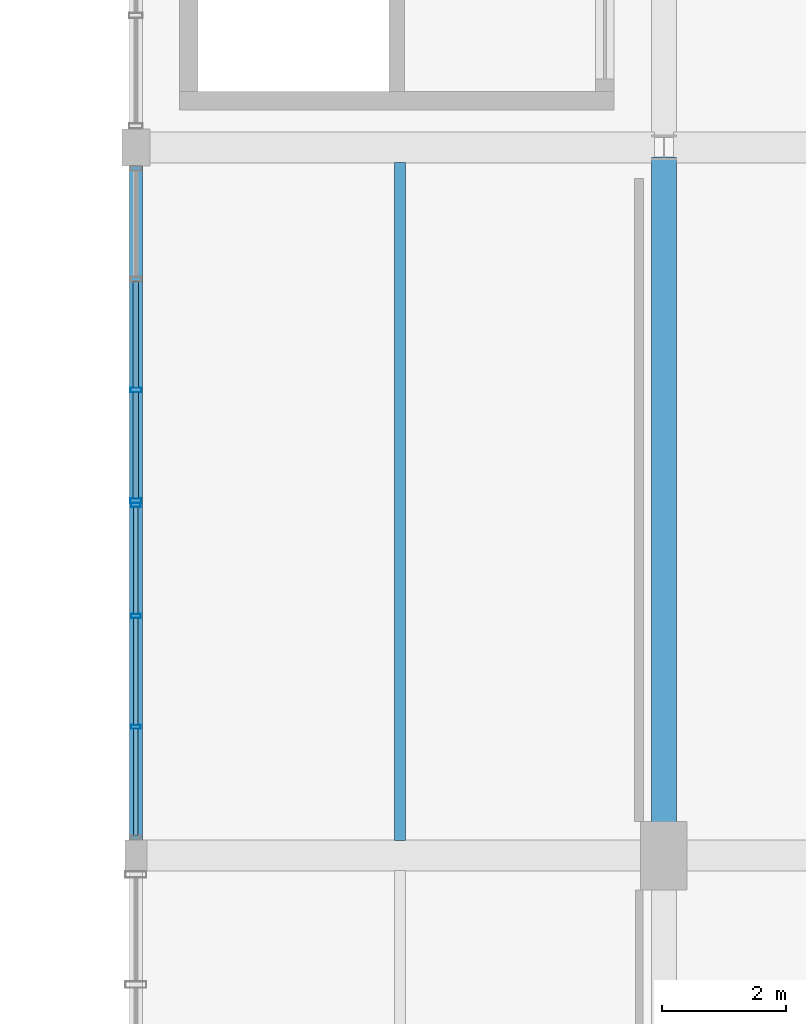
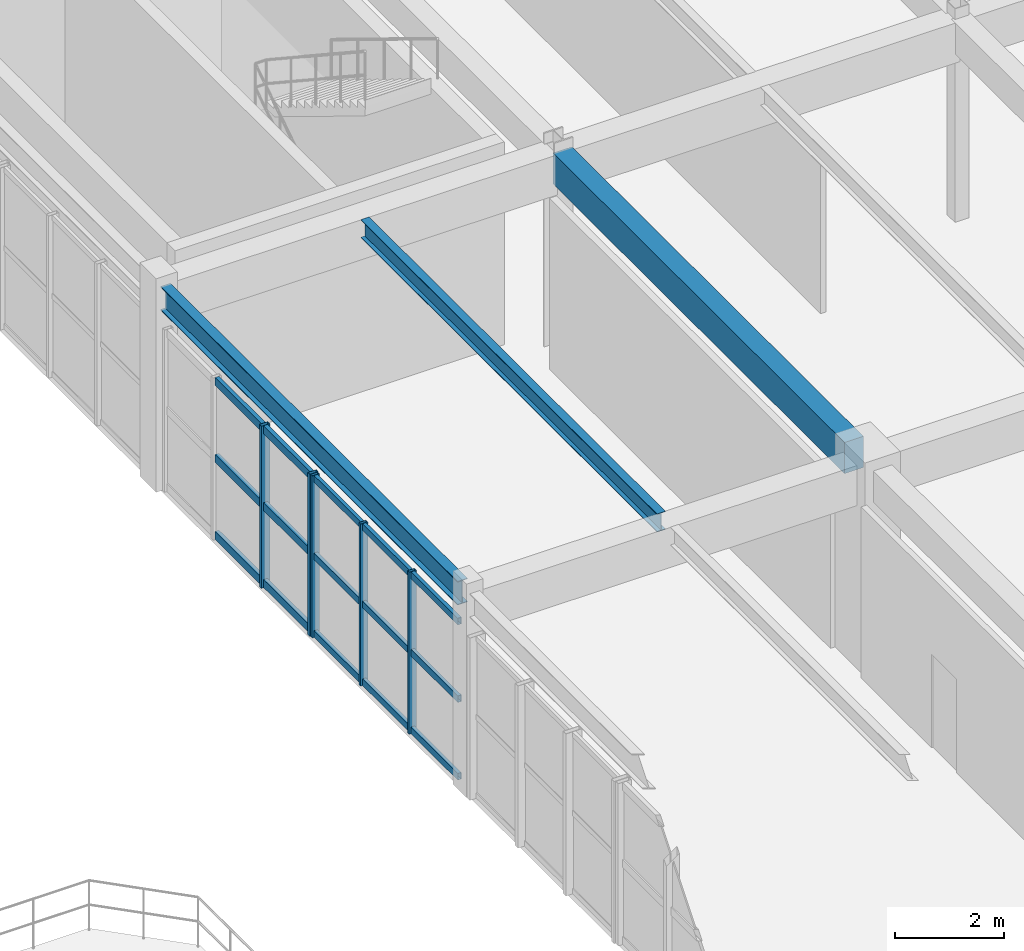
# One storey, part 38 of 106: 20 members, 3 beams, 2 elements without a shape of their own.
"""IFC4 building model written with IfcOpenShell, lengths in metres."""

from ifc_helpers import new_model, si_unit, direction, frame, origin, origin_2d, place, context, subcontext, project, spatial, rectangle, hollow_rectangle, i_section, extrude, material, layer, layer_set, material_profile, profile_set, type_object, element, aggregate, save


model = new_model("IFC4")

# Units and contexts
model_context = context("Model", 3, precision=1e-05, world=origin(), true_north=direction((0.0, 1.0)))
body_context = subcontext(model_context, "Body", "Model", "MODEL_VIEW")
ifc_project = project(units=[si_unit("LENGTHUNIT", "METRE"), si_unit("AREAUNIT", "SQUARE_METRE"), si_unit("VOLUMEUNIT", "CUBIC_METRE"), si_unit("PLANEANGLEUNIT", "RADIAN"), si_unit("MASSUNIT", "GRAM", prefix="KILO"), si_unit("POWERUNIT", "WATT"), si_unit("THERMODYNAMICTEMPERATUREUNIT", "KELVIN")], contexts=[model_context])

# Site, building, storey
site_placement = place(None, origin())
site = spatial("IfcSite", under=ifc_project, at=site_placement, CompositionType="ELEMENT")
building_placement = place(site_placement, origin())
building = spatial("IfcBuilding", under=site, at=building_placement, Name="Kelmbourne Parkland Aquatics Centre", CompositionType="ELEMENT")
storey_placement = place(building_placement, frame((0.0, 0.0, 5.39990234375)))
storey = spatial("IfcBuildingStorey", under=building, at=storey_placement, Name="L01", CompositionType="ELEMENT", Elevation=5.39990234375)

# Beams
ifc_material_1 = material(Name="Concrete C40/50", Category="concrete")
ifc_material_profile_1 = material_profile(ifc_material_1, rectangle(XDim=0.39990234375, YDim=0.699951171875, at=origin_2d()), Name="RC 400x700")
ifc_profile_set_1 = profile_set([ifc_material_profile_1], Name="Concrete C40/50")
beam_type_1 = type_object("IfcBeamType", Name="BM-G05", PredefinedType="BEAM", material=ifc_profile_set_1)
beam_1_placement = place(storey_placement, frame((110.5, 24.10498046875, 4.210205078125), z_axis=(0.0, 1.0, 0.0), x_axis=(-1.0, 0.0, 0.0)))
element("IfcBeam", 1, at=beam_1_placement, inside=storey, type_object=beam_type_1, Name="Primary girder 04-05 Grid N (L02)", PredefinedType="BEAM", context=body_context, shape_type="SweptSolid", body=[
    extrude(rectangle(XDim=0.39990234375, YDim=0.699951171875, at=origin_2d()), origin(), (0.0, 0.0, 1.0), 10.738037109375),
])
ifc_material_2 = material(Name="Structural steel AS/NZS 3679.1 Grade 300", Category="steel")
ifc_material_profile_2 = material_profile(ifc_material_2, i_section(OverallWidth=0.177978515625, OverallDepth=0.406005859375, WebThickness=0.0078125, FlangeThickness=0.0126953125, at=origin_2d()), Name="410UB59.7")
ifc_profile_set_2 = profile_set([ifc_material_profile_2], Name="Structural steel AS/NZS 3679.1 Grade 300")
beam_type_2 = type_object("IfcBeamType", Name="BM-J01", PredefinedType="JOIST", material=ifc_profile_set_2)
beam_2_placement = place(storey_placement, frame((106.25, 23.842041015625, 4.357177734375), z_axis=(0.0, 1.0, 0.0), x_axis=(-1.0, 0.0, 0.0)))
element("IfcBeam", 2, at=beam_2_placement, inside=storey, type_object=beam_type_2, Name="Secondary floor joist M-N/04-05 #1 (L02)", PredefinedType="JOIST", context=body_context, shape_type="SweptSolid", body=[
    extrude(i_section(OverallWidth=0.177978515625, OverallDepth=0.406005859375, WebThickness=0.0078125, FlangeThickness=0.0126953125, at=origin_2d()), origin(), (0.0, 0.0, 1.0), 10.916015625),
])
ifc_material_profile_3 = material_profile(ifc_material_2, i_section(OverallWidth=0.208984375, OverallDepth=0.532958984375, WebThickness=0.01025390625, FlangeThickness=0.015625, at=origin_2d()), Name="530UB92.4")
ifc_profile_set_3 = profile_set([ifc_material_profile_3], Name="Structural steel AS/NZS 3679.1 Grade 300")
beam_type_3 = type_object("IfcBeamType", Name="BM-SP02", PredefinedType="SPANDREL", material=ifc_profile_set_3)
beam_3_placement = place(storey_placement, frame((102.0, 23.804931640625, 4.293701171875), z_axis=(0.0, 1.0, 0.0), x_axis=(-1.0, 0.0, 0.0)))
element("IfcBeam", 3, at=beam_3_placement, inside=storey, type_object=beam_type_3, Name="Perimeter spandrel 04-05 Grid M (L02)", PredefinedType="SPANDREL", context=body_context, shape_type="SweptSolid", body=[
    extrude(i_section(OverallWidth=0.208984375, OverallDepth=0.532958984375, WebThickness=0.01025390625, FlangeThickness=0.015625, at=origin_2d()), origin(), (0.0, 0.0, 1.0), 10.940185546875),
])

# Curtain wall, members
ifc_material_3 = material(Name="Thermally broken anodised aluminium framing", Category="aluminium")
ifc_layer_1 = layer(ifc_material_3, 0.179931640625)
ifc_layer_set_1 = layer_set([ifc_layer_1], Name="Thermally broken anodised aluminium framing")
curtain_wall_type_1 = type_object("IfcCurtainWallType", Name="CW-22", PredefinedType="NOTDEFINED", material=ifc_layer_set_1)
curtain_wall_1_placement = place(storey_placement, origin())
curtain_wall_1 = element("IfcCurtainWall", 4, at=curtain_wall_1_placement, inside=storey, type_object=curtain_wall_type_1, Name="Facade curtain wall CW-L01-190", PredefinedType="NOTDEFINED")
ifc_material_profile_4 = material_profile(ifc_material_3, hollow_rectangle(XDim=0.06494140625, YDim=0.14990234375, WallThickness=0.00390625, at=origin_2d()), Name="CW-M 65x150")
ifc_profile_set_4 = profile_set([ifc_material_profile_4], Name="Thermally broken anodised aluminium framing")
member_type_1 = type_object("IfcMemberType", Name="MB-MUL-1", PredefinedType="MULLION", material=ifc_profile_set_4)
member_1_placement = place(storey_placement, frame((102.0, 25.67041015625, 0.0), z_axis=(0.0, 0.0, 1.0), x_axis=(0.0, 1.0, 0.0)))
member_1 = element("IfcMember", 5, at=member_1_placement, type_object=member_type_1, Name="CW-L01-190 mullion 1", PredefinedType="MULLION", context=body_context, shape_type="SweptSolid", body=[
    extrude(hollow_rectangle(XDim=0.06494140625, YDim=0.14990234375, WallThickness=0.00390625, at=origin_2d()), origin(), (0.0, 0.0, 1.0), 3.64501953125),
])
member_2_placement = place(storey_placement, frame((102.0, 27.45654296875, 0.0), z_axis=(0.0, 0.0, 1.0), x_axis=(0.0, 1.0, 0.0)))
member_2 = element("IfcMember", 6, at=member_2_placement, type_object=member_type_1, Name="CW-L01-190 mullion 2", PredefinedType="MULLION", context=body_context, shape_type="SweptSolid", body=[
    extrude(hollow_rectangle(XDim=0.06494140625, YDim=0.14990234375, WallThickness=0.00390625, at=origin_2d()), origin(), (0.0, 0.0, 1.0), 3.64501953125),
])
member_3_placement = place(storey_placement, frame((102.0, 29.242431640625, 0.0), z_axis=(0.0, 0.0, 1.0), x_axis=(0.0, 1.0, 0.0)))
member_3 = element("IfcMember", 7, at=member_3_placement, type_object=member_type_1, Name="CW-L01-190 mullion 3", PredefinedType="MULLION", context=body_context, shape_type="SweptSolid", body=[
    extrude(hollow_rectangle(XDim=0.06494140625, YDim=0.14990234375, WallThickness=0.00390625, at=origin_2d()), origin(), (0.0, 0.0, 1.0), 3.64501953125),
])

ifc_layer_2 = layer(ifc_material_3, 0.179931640625)
ifc_layer_set_2 = layer_set([ifc_layer_2], Name="Thermally broken anodised aluminium framing")
curtain_wall_type_2 = type_object("IfcCurtainWallType", Name="CW-23", PredefinedType="NOTDEFINED", material=ifc_layer_set_2)
curtain_wall_2_placement = place(storey_placement, origin())
curtain_wall_2 = element("IfcCurtainWall", 8, at=curtain_wall_2_placement, inside=storey, type_object=curtain_wall_type_2, Name="Facade curtain wall CW-L01-191", PredefinedType="NOTDEFINED")
ifc_material_profile_5 = material_profile(ifc_material_3, hollow_rectangle(XDim=0.074951171875, YDim=0.179931640625, WallThickness=0.00439453125, at=origin_2d()), Name="CW-M 75x180")
ifc_profile_set_5 = profile_set([ifc_material_profile_5], Name="Thermally broken anodised aluminium framing")
member_type_2 = type_object("IfcMemberType", Name="MB-MUL-2", PredefinedType="MULLION", material=ifc_profile_set_5)
member_4_placement = place(storey_placement, frame((102.0, 29.3125, 0.0), z_axis=(0.0, 0.0, 1.0), x_axis=(0.0, 1.0, 0.0)))
member_4 = element("IfcMember", 9, at=member_4_placement, type_object=member_type_2, Name="CW-L01-191 mullion 0", PredefinedType="MULLION", context=body_context, shape_type="SweptSolid", body=[
    extrude(hollow_rectangle(XDim=0.074951171875, YDim=0.179931640625, WallThickness=0.00439453125, at=origin_2d()), origin(), (0.0, 0.0, 1.0), 3.64501953125),
])
member_5_placement = place(storey_placement, frame((102.0, 31.09521484375, 0.0), z_axis=(0.0, 0.0, 1.0), x_axis=(0.0, 1.0, 0.0)))
member_5 = element("IfcMember", 10, at=member_5_placement, type_object=member_type_2, Name="CW-L01-191 mullion 1", PredefinedType="MULLION", context=body_context, shape_type="SweptSolid", body=[
    extrude(hollow_rectangle(XDim=0.074951171875, YDim=0.179931640625, WallThickness=0.00439453125, at=origin_2d()), origin(), (0.0, 0.0, 1.0), 3.64501953125),
])

# Member
ifc_material_profile_6 = material_profile(ifc_material_3, hollow_rectangle(XDim=0.074951171875, YDim=0.14990234375, WallThickness=0.00390625, at=origin_2d()), Name="CW-T 75x150")
ifc_profile_set_6 = profile_set([ifc_material_profile_6], Name="Thermally broken anodised aluminium framing")
member_type_3 = type_object("IfcMemberType", Name="MB-TRN-2", PredefinedType="USERDEFINED", material=ifc_profile_set_6)
member_6_placement = place(storey_placement, frame((102.0, 23.9130859375, 0.078125), z_axis=(0.0, 1.0, 0.0), x_axis=(-1.0, 0.0, 0.0)))
member_6 = element("IfcMember", 11, at=member_6_placement, type_object=member_type_3, Name="CW-L01-190 transom 0-0", ObjectType="TRANSOM", PredefinedType="USERDEFINED", context=body_context, shape_type="SweptSolid", body=[
    extrude(hollow_rectangle(XDim=0.074951171875, YDim=0.14990234375, WallThickness=0.00390625, at=origin_2d()), origin(), (0.0, 0.0, 1.0), 1.72900390625),
])

member_7_placement = place(storey_placement, frame((102.0, 25.698974609375, 0.078125), z_axis=(0.0, 1.0, 0.0), x_axis=(-1.0, 0.0, 0.0)))
member_7 = element("IfcMember", 12, at=member_7_placement, type_object=member_type_3, Name="CW-L01-190 transom 0-1", ObjectType="TRANSOM", PredefinedType="USERDEFINED", context=body_context, shape_type="SweptSolid", body=[
    extrude(hollow_rectangle(XDim=0.074951171875, YDim=0.14990234375, WallThickness=0.00390625, at=origin_2d()), origin(), (0.0, 0.0, 1.0), 1.72900390625),
])

member_8_placement = place(storey_placement, frame((102.0, 27.485107421875, 0.078125), z_axis=(0.0, 1.0, 0.0), x_axis=(-1.0, 0.0, 0.0)))
member_8 = element("IfcMember", 13, at=member_8_placement, type_object=member_type_3, Name="CW-L01-190 transom 0-2", ObjectType="TRANSOM", PredefinedType="USERDEFINED", context=body_context, shape_type="SweptSolid", body=[
    extrude(hollow_rectangle(XDim=0.074951171875, YDim=0.14990234375, WallThickness=0.00390625, at=origin_2d()), origin(), (0.0, 0.0, 1.0), 1.72900390625),
])

member_9_placement = place(storey_placement, frame((102.0, 23.9130859375, 1.822509765625), z_axis=(0.0, 1.0, 0.0), x_axis=(-1.0, 0.0, 0.0)))
member_9 = element("IfcMember", 14, at=member_9_placement, type_object=member_type_3, Name="CW-L01-190 transom 1-0", ObjectType="TRANSOM", PredefinedType="USERDEFINED", context=body_context, shape_type="SweptSolid", body=[
    extrude(hollow_rectangle(XDim=0.074951171875, YDim=0.14990234375, WallThickness=0.00390625, at=origin_2d()), origin(), (0.0, 0.0, 1.0), 1.72900390625),
])

member_10_placement = place(storey_placement, frame((102.0, 25.698974609375, 1.822509765625), z_axis=(0.0, 1.0, 0.0), x_axis=(-1.0, 0.0, 0.0)))
member_10 = element("IfcMember", 15, at=member_10_placement, type_object=member_type_3, Name="CW-L01-190 transom 1-1", ObjectType="TRANSOM", PredefinedType="USERDEFINED", context=body_context, shape_type="SweptSolid", body=[
    extrude(hollow_rectangle(XDim=0.074951171875, YDim=0.14990234375, WallThickness=0.00390625, at=origin_2d()), origin(), (0.0, 0.0, 1.0), 1.72900390625),
])

member_11_placement = place(storey_placement, frame((102.0, 27.485107421875, 1.822509765625), z_axis=(0.0, 1.0, 0.0), x_axis=(-1.0, 0.0, 0.0)))
member_11 = element("IfcMember", 16, at=member_11_placement, type_object=member_type_3, Name="CW-L01-190 transom 1-2", ObjectType="TRANSOM", PredefinedType="USERDEFINED", context=body_context, shape_type="SweptSolid", body=[
    extrude(hollow_rectangle(XDim=0.074951171875, YDim=0.14990234375, WallThickness=0.00390625, at=origin_2d()), origin(), (0.0, 0.0, 1.0), 1.72900390625),
])

member_12_placement = place(storey_placement, frame((102.0, 23.9130859375, 3.567138671875), z_axis=(0.0, 1.0, 0.0), x_axis=(-1.0, 0.0, 0.0)))
member_12 = element("IfcMember", 17, at=member_12_placement, type_object=member_type_3, Name="CW-L01-190 transom 2-0", ObjectType="TRANSOM", PredefinedType="USERDEFINED", context=body_context, shape_type="SweptSolid", body=[
    extrude(hollow_rectangle(XDim=0.074951171875, YDim=0.14990234375, WallThickness=0.00390625, at=origin_2d()), origin(), (0.0, 0.0, 1.0), 1.72900390625),
])

member_13_placement = place(storey_placement, frame((102.0, 25.698974609375, 3.567138671875), z_axis=(0.0, 1.0, 0.0), x_axis=(-1.0, 0.0, 0.0)))
member_13 = element("IfcMember", 18, at=member_13_placement, type_object=member_type_3, Name="CW-L01-190 transom 2-1", ObjectType="TRANSOM", PredefinedType="USERDEFINED", context=body_context, shape_type="SweptSolid", body=[
    extrude(hollow_rectangle(XDim=0.074951171875, YDim=0.14990234375, WallThickness=0.00390625, at=origin_2d()), origin(), (0.0, 0.0, 1.0), 1.72900390625),
])

member_14_placement = place(storey_placement, frame((102.0, 27.485107421875, 3.567138671875), z_axis=(0.0, 1.0, 0.0), x_axis=(-1.0, 0.0, 0.0)))
member_14 = element("IfcMember", 19, at=member_14_placement, type_object=member_type_3, Name="CW-L01-190 transom 2-2", ObjectType="TRANSOM", PredefinedType="USERDEFINED", context=body_context, shape_type="SweptSolid", body=[
    extrude(hollow_rectangle(XDim=0.074951171875, YDim=0.14990234375, WallThickness=0.00390625, at=origin_2d()), origin(), (0.0, 0.0, 1.0), 1.72900390625),
])

aggregate(curtain_wall_1, [member_1, member_2, member_3, member_6, member_7, member_8, member_9, member_10, member_11, member_12, member_13, member_14])

ifc_material_profile_7 = material_profile(ifc_material_3, hollow_rectangle(XDim=0.0849609375, YDim=0.179931640625, WallThickness=0.00439453125, at=origin_2d()), Name="CW-T 85x180")
ifc_profile_set_7 = profile_set([ifc_material_profile_7], Name="Thermally broken anodised aluminium framing")
member_type_4 = type_object("IfcMemberType", Name="MB-TRN-3", PredefinedType="USERDEFINED", material=ifc_profile_set_7)
member_15_placement = place(storey_placement, frame((102.0, 29.345947265625, 0.093017578125), z_axis=(0.0, 1.0, 0.0), x_axis=(-1.0, 0.0, 0.0)))
member_15 = element("IfcMember", 20, at=member_15_placement, type_object=member_type_4, Name="CW-L01-191 transom 0-0", ObjectType="TRANSOM", PredefinedType="USERDEFINED", context=body_context, shape_type="SweptSolid", body=[
    extrude(hollow_rectangle(XDim=0.0849609375, YDim=0.179931640625, WallThickness=0.00439453125, at=origin_2d()), origin(), (0.0, 0.0, 1.0), 1.7158203125),
])

member_16_placement = place(storey_placement, frame((102.0, 31.128662109375, 0.093017578125), z_axis=(0.0, 1.0, 0.0), x_axis=(-1.0, 0.0, 0.0)))
member_16 = element("IfcMember", 21, at=member_16_placement, type_object=member_type_4, Name="CW-L01-191 transom 0-1", ObjectType="TRANSOM", PredefinedType="USERDEFINED", context=body_context, shape_type="SweptSolid", body=[
    extrude(hollow_rectangle(XDim=0.0849609375, YDim=0.179931640625, WallThickness=0.00439453125, at=origin_2d()), origin(), (0.0, 0.0, 1.0), 1.715576171875),
])

member_17_placement = place(storey_placement, frame((102.0, 29.345947265625, 1.822509765625), z_axis=(0.0, 1.0, 0.0), x_axis=(-1.0, 0.0, 0.0)))
member_17 = element("IfcMember", 22, at=member_17_placement, type_object=member_type_4, Name="CW-L01-191 transom 1-0", ObjectType="TRANSOM", PredefinedType="USERDEFINED", context=body_context, shape_type="SweptSolid", body=[
    extrude(hollow_rectangle(XDim=0.0849609375, YDim=0.179931640625, WallThickness=0.00439453125, at=origin_2d()), origin(), (0.0, 0.0, 1.0), 1.7158203125),
])

member_18_placement = place(storey_placement, frame((102.0, 31.128662109375, 1.822509765625), z_axis=(0.0, 1.0, 0.0), x_axis=(-1.0, 0.0, 0.0)))
member_18 = element("IfcMember", 23, at=member_18_placement, type_object=member_type_4, Name="CW-L01-191 transom 1-1", ObjectType="TRANSOM", PredefinedType="USERDEFINED", context=body_context, shape_type="SweptSolid", body=[
    extrude(hollow_rectangle(XDim=0.0849609375, YDim=0.179931640625, WallThickness=0.00439453125, at=origin_2d()), origin(), (0.0, 0.0, 1.0), 1.715576171875),
])

member_19_placement = place(storey_placement, frame((102.0, 29.345947265625, 3.552001953125), z_axis=(0.0, 1.0, 0.0), x_axis=(-1.0, 0.0, 0.0)))
member_19 = element("IfcMember", 24, at=member_19_placement, type_object=member_type_4, Name="CW-L01-191 transom 2-0", ObjectType="TRANSOM", PredefinedType="USERDEFINED", context=body_context, shape_type="SweptSolid", body=[
    extrude(hollow_rectangle(XDim=0.0849609375, YDim=0.179931640625, WallThickness=0.00439453125, at=origin_2d()), origin(), (0.0, 0.0, 1.0), 1.7158203125),
])

member_20_placement = place(storey_placement, frame((102.0, 31.128662109375, 3.552001953125), z_axis=(0.0, 1.0, 0.0), x_axis=(-1.0, 0.0, 0.0)))
member_20 = element("IfcMember", 25, at=member_20_placement, type_object=member_type_4, Name="CW-L01-191 transom 2-1", ObjectType="TRANSOM", PredefinedType="USERDEFINED", context=body_context, shape_type="SweptSolid", body=[
    extrude(hollow_rectangle(XDim=0.0849609375, YDim=0.179931640625, WallThickness=0.00439453125, at=origin_2d()), origin(), (0.0, 0.0, 1.0), 1.715576171875),
])

aggregate(curtain_wall_2, [member_4, member_5, member_15, member_16, member_17, member_18, member_19, member_20])

save(model, "model.ifc")
